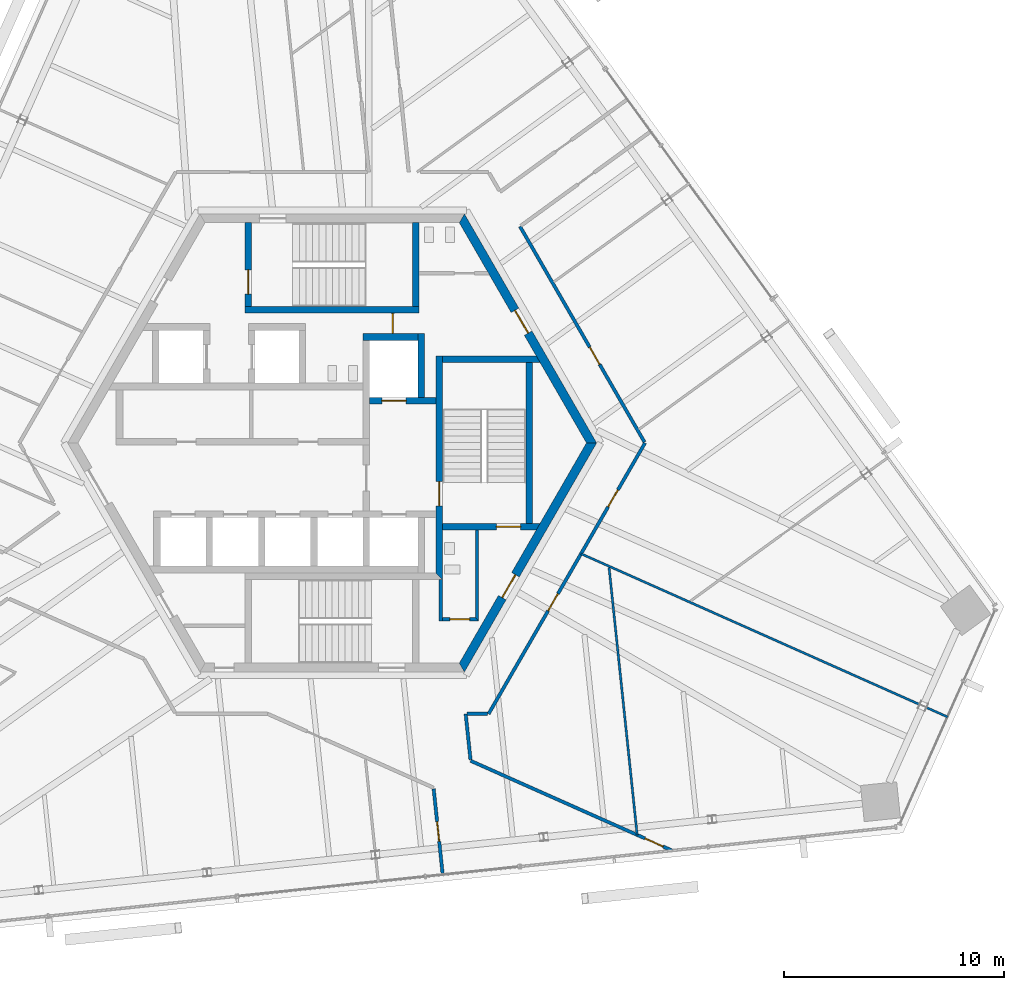
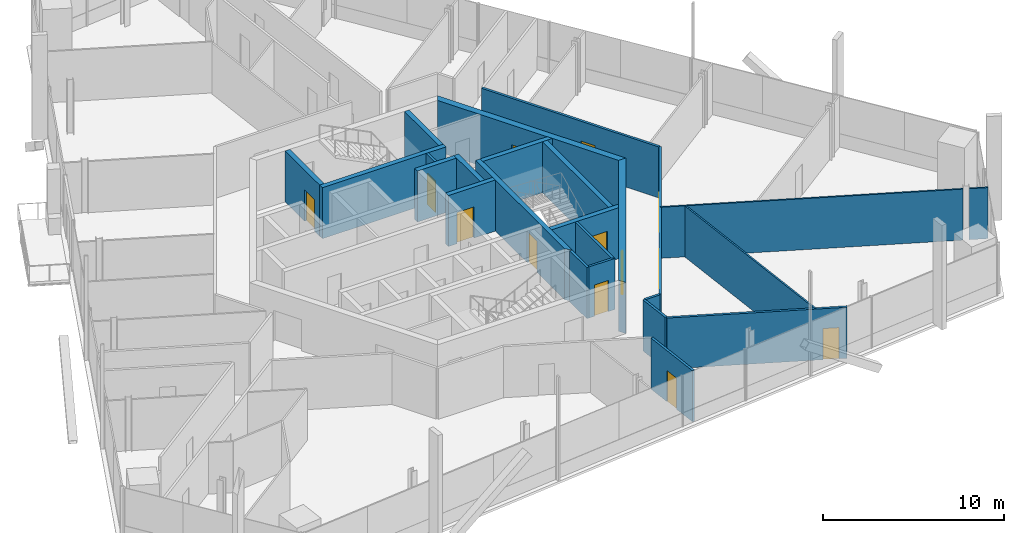
# One storey, part 12 of 20: 25 walls, 13 doors, 13 openings.
"""IFC4 building model written with IfcOpenShell, lengths in metres."""

import ifcopenshell
import ifcopenshell.guid

model = None  # the IFC model being written
_history = None  # IfcOwnerHistory: only IFC2X3 demands one
_inside = {}  # id of a spatial element -> (the spatial element, [elements in it])
_under = {}  # id of a project, library or spatial element -> (it, [spatial elements below it])
_declared = {}  # id of a project -> (the project, [libraries it declares])
_typed = {}  # id of a type object -> (the type object, [elements of that type])
_made_of = {}  # id of a material, layer set ... -> (it, [elements and type objects made of it])


def new_model(schema):
    """Start an empty IFC model of exactly this schema.

    Asked for "IFC4X3", IfcOpenShell would pick the latest addendum, in which some entities
    have other attributes; the version numbers below select the first issue.
    IFC2X3 requires an IfcOwnerHistory on every rooted entity: one is made here for all.
    """
    global model, _history
    if schema == "IFC4X3":
        model = ifcopenshell.file(schema_version=(4, 3, 0, 0))
    else:
        model = ifcopenshell.file(schema=schema)
    _inside.clear()
    _under.clear()
    _declared.clear()
    _typed.clear()
    _made_of.clear()
    _history = None
    if model.schema == "IFC2X3":
        org = make("IfcOrganization", Name="unknown")
        user = make(
            "IfcPersonAndOrganization",
            ThePerson=make("IfcPerson", FamilyName="unknown"),
            TheOrganization=org,
        )
        app = make(
            "IfcApplication",
            ApplicationDeveloper=org,
            Version="unknown",
            ApplicationFullName="unknown",
            ApplicationIdentifier="unknown",
        )
        _history = make(
            "IfcOwnerHistory",
            OwningUser=user,
            OwningApplication=app,
            ChangeAction="ADDED",
            CreationDate=0,
        )
    return model


def make(cls, **values):
    """One entity of the class cls with the attributes given. An attribute that is None is left unset."""
    return model.create_entity(
        cls, **{name: value for name, value in values.items() if value is not None}
    )


def rooted(cls, **values):
    """An entity with a GlobalId (a new one), such as an element, a storey or a relation."""
    return make(cls, GlobalId=ifcopenshell.guid.new(), OwnerHistory=_history, **values)


def si_unit(unit_type, name, prefix=None):
    """IfcSIUnit, for example si_unit("LENGTHUNIT", "METRE", prefix="MILLI")."""
    return make("IfcSIUnit", UnitType=unit_type, Prefix=prefix, Name=name)


def assignment(units):
    """IfcUnitAssignment: the units of a project."""
    return None if units is None else make("IfcUnitAssignment", Units=units)


def point(xyz):
    """IfcCartesianPoint."""
    return None if xyz is None else make("IfcCartesianPoint", Coordinates=xyz)


def direction(xyz):
    """IfcDirection."""
    return None if xyz is None else make("IfcDirection", DirectionRatios=xyz)


def frame(location, z_axis=None, x_axis=None):
    """IfcAxis2Placement3D, a coordinate frame: its origin and axes. An axis left out is left unset."""
    return make(
        "IfcAxis2Placement3D",
        Location=point(location),
        Axis=direction(z_axis),
        RefDirection=direction(x_axis),
    )


def frame_2d(location, x_axis=None):
    """IfcAxis2Placement2D, a coordinate frame in the plane: its origin and x axis."""
    return make(
        "IfcAxis2Placement2D", Location=point(location), RefDirection=direction(x_axis)
    )


def origin():
    """The frame at (0, 0, 0) with its axes left unset."""
    return frame((0.0, 0.0, 0.0))


def place(relative_to, where):
    """IfcLocalPlacement: puts the frame where relative to a parent placement (None: the world)."""
    return make(
        "IfcLocalPlacement", PlacementRelTo=relative_to, RelativePlacement=where
    )


def context(
    kind, dimensions, precision=None, world=None, true_north=None, identifier=None
):
    """IfcGeometricRepresentationContext, for example the 3D "Model" context."""
    return make(
        "IfcGeometricRepresentationContext",
        ContextIdentifier=identifier,
        ContextType=kind,
        CoordinateSpaceDimension=dimensions,
        Precision=precision,
        WorldCoordinateSystem=world,
        TrueNorth=true_north,
    )


def subcontext(parent, identifier, kind, view, scale=None):
    """IfcGeometricRepresentationSubContext, for example "Body" below "Model"."""
    return make(
        "IfcGeometricRepresentationSubContext",
        ContextIdentifier=identifier,
        ContextType=kind,
        ParentContext=parent,
        TargetScale=scale,
        TargetView=view,
    )


def project(units=None, contexts=None):
    """IfcProject with its units and contexts."""
    return rooted(
        "IfcProject",
        Name="project",
        RepresentationContexts=contexts,
        UnitsInContext=assignment(units),
    )


def spatial(cls, under=None, at=None, **own):
    """A site, building, storey or space (cls), placed at a placement, below another one or the project."""
    s = rooted(cls, ObjectPlacement=at, **own)
    if under is not None:
        _under.setdefault(under.id(), (under, []))[1].append(s)
    return s


def polyline(points):
    """IfcPolyline through the points."""
    return make("IfcPolyline", Points=[point(p) for p in points])


def profile(cls, at=None, kind="AREA", **sizes):
    """A parametric profile (cls). Its sizes go by their IFC names, for example OverallWidth=200.0."""
    return make(cls, ProfileType=kind, Position=at, **sizes)


def rectangle(**sizes):
    """IfcRectangleProfileDef."""
    return profile("IfcRectangleProfileDef", **sizes)


def outline(outer, holes=None, kind="AREA"):
    """IfcArbitraryClosedProfileDef: a profile drawn as a closed curve; with holes, ...WithVoids."""
    if holes is None:
        return make("IfcArbitraryClosedProfileDef", ProfileType=kind, OuterCurve=outer)
    return make(
        "IfcArbitraryProfileDefWithVoids",
        ProfileType=kind,
        OuterCurve=outer,
        InnerCurves=holes,
    )


def extrude(swept, where, along, depth):
    """IfcExtrudedAreaSolid: the profile swept, set in the frame where, extruded along a direction by depth."""
    return make(
        "IfcExtrudedAreaSolid",
        SweptArea=swept,
        Position=where,
        ExtrudedDirection=direction(along),
        Depth=depth,
    )


def shape(context_of_items, identifier, shape_type, items):
    """IfcShapeRepresentation: the items that make up one representation, for example the "Body"."""
    return make(
        "IfcShapeRepresentation",
        ContextOfItems=context_of_items,
        RepresentationIdentifier=identifier,
        RepresentationType=shape_type,
        Items=items,
    )


def source(mapping_origin, context_of_items, identifier, shape_type, items):
    """IfcRepresentationMap: a shape defined once, which mapped items show again and again."""
    return make(
        "IfcRepresentationMap",
        MappingOrigin=mapping_origin,
        MappedRepresentation=shape(context_of_items, identifier, shape_type, items),
    )


def transform(
    local_origin,
    x_axis=None,
    y_axis=None,
    z_axis=None,
    scale=None,
    scale2=None,
    scale3=None,
    uniform=True,
):
    """IfcCartesianTransformationOperator3D, or its non-uniform kind. x_axis, y_axis, z_axis: its Axis1, 2, 3."""
    if uniform:
        return make(
            "IfcCartesianTransformationOperator3D",
            Axis1=direction(x_axis),
            Axis2=direction(y_axis),
            LocalOrigin=point(local_origin),
            Scale=scale,
            Axis3=direction(z_axis),
        )
    return make(
        "IfcCartesianTransformationOperator3DnonUniform",
        Axis1=direction(x_axis),
        Axis2=direction(y_axis),
        LocalOrigin=point(local_origin),
        Scale=scale,
        Axis3=direction(z_axis),
        Scale2=scale2,
        Scale3=scale3,
    )


def mapped(mapping_source, mapping_target):
    """IfcMappedItem: shows the shape of a source again, moved by a transform."""
    return make(
        "IfcMappedItem", MappingSource=mapping_source, MappingTarget=mapping_target
    )


def material(Name=None, Category=None):
    """IfcMaterial."""
    return make("IfcMaterial", Name=Name, Category=Category)


def layer(
    of_material, thickness, ventilated=None, Name=None, Category=None, Priority=None
):
    """IfcMaterialLayer: one layer of a wall or slab, of a material (None: an air gap)."""
    return make(
        "IfcMaterialLayer",
        Material=of_material,
        LayerThickness=thickness,
        IsVentilated=ventilated,
        Name=Name,
        Category=Category,
        Priority=Priority,
    )


def layer_set(layers, Name=None):
    """IfcMaterialLayerSet."""
    return make("IfcMaterialLayerSet", MaterialLayers=layers, LayerSetName=Name)


def made_of(thing, what):
    """Note that an element or type object is made of a material, layer set ...; save() writes the relation."""
    if what is not None:
        _made_of.setdefault(what.id(), (what, []))[1].append(thing)
    return thing


def type_object(cls, material=None, **own):
    """A type object (cls), such as IfcWallType, which elements share."""
    return made_of(rooted(cls, **own), material)


def element(
    cls,
    number,
    at=None,
    inside=None,
    cuts=None,
    type_object=None,
    material=None,
    context=None,
    identifier="Body",
    shape_type=None,
    held_by="IfcProductDefinitionShape",
    body=None,
    shapes=None,
    **own,
):
    """One element of the class cls, such as IfcWall. Its Tag is "e" and its number.

    at: its placement. inside: the storey or other place that contains it. cuts: it is an
    opening in that element (IfcRelVoidsElement). A single representation is given by context,
    identifier, shape_type and body (its items); several are given by shapes. held_by: the class
    of the entity that holds the representations. save() writes the other relations.
    """
    e = rooted(cls, Tag="e%d" % number, ObjectPlacement=at, **own)
    if body is not None:
        shapes = [shape(context, identifier, shape_type, body)]
    if shapes is not None:
        e.Representation = make(held_by, Representations=shapes)
    if inside is not None:
        _inside.setdefault(inside.id(), (inside, []))[1].append(e)
    if cuts is not None:
        rooted(
            "IfcRelVoidsElement", RelatingBuildingElement=cuts, RelatedOpeningElement=e
        )
    if type_object is not None:
        _typed.setdefault(type_object.id(), (type_object, []))[1].append(e)
    return made_of(e, material)


def fill(opening, filler):
    """IfcRelFillsElement: the door or window that sits in an opening."""
    return rooted(
        "IfcRelFillsElement",
        RelatingOpeningElement=opening,
        RelatedBuildingElement=filler,
    )


def aggregate(whole, parts):
    """IfcRelAggregates: a whole, such as a stair, and the parts it consists of."""
    return rooted("IfcRelAggregates", RelatingObject=whole, RelatedObjects=parts)


def save(model, path):
    """Write the relations noted so far, then the file.

    IfcRelAggregates (storeys below a building ...), IfcRelContainedInSpatialStructure (elements
    in a storey), IfcRelDefinesByType, IfcRelAssociatesMaterial and IfcRelDeclares: one each for
    every whole, place, type object, material and project.
    """
    for whole, parts in _under.values():
        aggregate(whole, parts)
    for where, things in _inside.values():
        rooted(
            "IfcRelContainedInSpatialStructure",
            RelatedElements=things,
            RelatingStructure=where,
        )
    for kind, things in _typed.values():
        rooted("IfcRelDefinesByType", RelatedObjects=things, RelatingType=kind)
    for what, things in _made_of.values():
        rooted("IfcRelAssociatesMaterial", RelatedObjects=things, RelatingMaterial=what)
    for by, libraries in _declared.values():
        rooted("IfcRelDeclares", RelatingContext=by, RelatedDefinitions=libraries)
    model.write(path)


model = new_model("IFC4")

# Units and contexts
model_context = context("Model", 3, precision=1e-05, world=origin(), true_north=direction((0.0, 1.0)))
body_context = subcontext(model_context, "Body", "Model", "MODEL_VIEW")
ifc_project = project(units=[si_unit("LENGTHUNIT", "METRE"), si_unit("AREAUNIT", "SQUARE_METRE"), si_unit("VOLUMEUNIT", "CUBIC_METRE"), si_unit("PLANEANGLEUNIT", "RADIAN"), si_unit("MASSUNIT", "GRAM", prefix="KILO")], contexts=[model_context])

# Site, building, storey
site_placement = place(None, origin())
site = spatial("IfcSite", under=ifc_project, at=site_placement, CompositionType="ELEMENT")
building_placement = place(site_placement, origin())
building = spatial("IfcBuilding", under=site, at=building_placement, Name="Triune Harvest Tower", CompositionType="ELEMENT")
storey_placement = place(building_placement, frame((0.0, 0.0, 226.89990234375)))
storey = spatial("IfcBuildingStorey", under=building, at=storey_placement, Name="L59", CompositionType="ELEMENT", Elevation=226.89990234375)

# Wall, opening, door
ifc_material_1 = material(Name="Gypsum board on steel studs", Category="steel")
ifc_layer_1 = layer(ifc_material_1, 0.14990234375)
ifc_layer_set_1 = layer_set([ifc_layer_1], Name="Gypsum board on steel studs")
wall_type_1 = type_object("IfcWallType", Name="Fire Partition 150 mm", PredefinedType="PARTITIONING", material=ifc_layer_set_1)
wall_1_placement = place(storey_placement, frame((4.60498046875, -15.6923828125, 0.0), z_axis=(0.0, 0.0, 1.0), x_axis=(0.104558207949, -0.994518768627, 0.0)))
wall_1 = element("IfcWall", 1, at=wall_1_placement, inside=storey, type_object=wall_type_1, Name="Partition L59 005", PredefinedType="PARTITIONING", context=body_context, shape_type="SweptSolid", body=[
    extrude(rectangle(XDim=3.915771484375, YDim=0.14990234375, at=frame_2d((1.9580078125, 0.0))), origin(), (0.0, 0.0, 1.0), 3.440185546875),
])
opening_1_placement = place(wall_1_placement, frame((1.5, 0.0, 0.0)))
opening_1 = element("IfcOpeningElement", 2, at=opening_1_placement, cuts=wall_1, Name="Opening L59-021", PredefinedType="OPENING", context=body_context, shape_type="SweptSolid", body=[
    extrude(rectangle(XDim=0.89990234375, YDim=2.10009765625, at=frame_2d((0.449951171875, 1.050048828125))), frame((0.0, 0.0849609375, 0.0), z_axis=(0.0, -1.0, 0.0), x_axis=(1.0, 0.0, 0.0)), (0.0, 0.0, 1.0), 0.169921875),
])
ifc_material_2 = material(Name="Timber and steel door set", Category="steel")
door_type_1 = type_object("IfcDoorType", Name="Single leaf door FD30 left hand 900 x 2100", OperationType="SINGLE_SWING_LEFT", PredefinedType="DOOR", material=ifc_material_2)
door_1_placement = place(opening_1_placement, origin())
door_1 = element("IfcDoor", 3, at=door_1_placement, inside=storey, type_object=door_type_1, Name="Door L59-021 Office 59.21", OperationType="SINGLE_SWING_LEFT", OverallHeight=2.10009765625, OverallWidth=0.89990234375, PredefinedType="DOOR", context=body_context, shape_type="SweptSolid", body=[
    extrude(rectangle(XDim=0.89990234375, YDim=2.10009765625, at=frame_2d((0.449951171875, 1.050048828125))), frame((0.0, 0.02490234375, 0.0), z_axis=(0.0, -1.0, 0.0), x_axis=(1.0, 0.0, 0.0)), (0.0, 0.0, 1.0), 0.050048828125),
])
fill(opening_1, door_1)

# Wall
wall_2_placement = place(storey_placement, frame((6.057861328125, -12.29248046875, 0.0), z_axis=(0.0, 0.0, 1.0), x_axis=(0.104532787966, -0.994521440815, 0.0)))
element("IfcWall", 4, at=wall_2_placement, inside=storey, type_object=wall_type_1, Name="Partition L59 007", PredefinedType="PARTITIONING", context=body_context, shape_type="SweptSolid", body=[
    extrude(rectangle(XDim=2.09033203125, YDim=0.14990234375, at=frame_2d((1.045166015625, 0.0))), origin(), (0.0, 0.0, 1.0), 3.440185546875),
])

# Wall, opening, door
wall_3_placement = place(storey_placement, frame((8.521484375, 9.82470703125, 0.0), z_axis=(0.0, 0.0, 1.0), x_axis=(0.499981909801, -0.866035847914, 0.0)))
wall_3 = element("IfcWall", 5, at=wall_3_placement, inside=storey, type_object=wall_type_1, Name="Partition L59 012", PredefinedType="PARTITIONING", context=body_context, shape_type="SweptSolid", body=[
    extrude(rectangle(XDim=11.294921875, YDim=0.14990234375, at=frame_2d((5.6474609375, 0.0))), origin(), (0.0, 0.0, 1.0), 3.440185546875),
])
opening_2_placement = place(wall_3_placement, frame((6.327392578125, 0.0, 0.0)))
opening_2 = element("IfcOpeningElement", 6, at=opening_2_placement, cuts=wall_3, Name="Opening L59-003", PredefinedType="OPENING", context=body_context, shape_type="SweptSolid", body=[
    extrude(rectangle(XDim=0.89990234375, YDim=2.10009765625, at=frame_2d((0.449951171875, 1.050048828125))), frame((0.0, 0.0849609375, 0.0), z_axis=(0.0, -1.0, 0.0), x_axis=(1.0, 0.0, 0.0)), (0.0, 0.0, 1.0), 0.169921875),
])
ifc_material_3 = material(Name="Timber and steel door set", Category="steel")
door_type_2 = type_object("IfcDoorType", Name="Single leaf door FD30 right hand 900 x 2100", OperationType="SINGLE_SWING_RIGHT", PredefinedType="DOOR", material=ifc_material_3)
door_2_placement = place(opening_2_placement, origin())
door_2 = element("IfcDoor", 7, at=door_2_placement, inside=storey, type_object=door_type_2, Name="Door L59-003 Pantry 59.03", OperationType="SINGLE_SWING_RIGHT", OverallHeight=2.10009765625, OverallWidth=0.89990234375, PredefinedType="DOOR", context=body_context, shape_type="SweptSolid", body=[
    extrude(rectangle(XDim=0.89990234375, YDim=2.10009765625, at=frame_2d((0.449951171875, 1.050048828125))), frame((0.0, 0.02490234375, 0.0), z_axis=(0.0, -1.0, 0.0), x_axis=(1.0, 0.0, 0.0)), (0.0, 0.0, 1.0), 0.050048828125),
])
fill(opening_2, door_2)

wall_4_placement = place(storey_placement, frame((6.281494140625, -14.421142578125, 0.0), z_axis=(0.0, 0.0, 1.0), x_axis=(0.913554886537, -0.406715464771, 0.0)))
wall_4 = element("IfcWall", 8, at=wall_4_placement, inside=storey, type_object=wall_type_1, Name="Partition L59 021", PredefinedType="PARTITIONING", context=body_context, shape_type="SweptSolid", body=[
    extrude(rectangle(XDim=10.009521484375, YDim=0.14990234375, at=frame_2d((5.0048828125, 0.0))), origin(), (0.0, 0.0, 1.0), 3.440185546875),
])
opening_3_placement = place(wall_4_placement, frame((8.65966796875, 0.0, 0.0)))
opening_3 = element("IfcOpeningElement", 9, at=opening_3_placement, cuts=wall_4, Name="Opening L59-023", PredefinedType="OPENING", context=body_context, shape_type="SweptSolid", body=[
    extrude(rectangle(XDim=0.89990234375, YDim=2.10009765625, at=frame_2d((0.449951171875, 1.050048828125))), frame((0.0, 0.0849609375, 0.0), z_axis=(0.0, -1.0, 0.0), x_axis=(1.0, 0.0, 0.0)), (0.0, 0.0, 1.0), 0.169921875),
])
door_3_placement = place(opening_3_placement, origin())
door_3 = element("IfcDoor", 10, at=door_3_placement, inside=storey, type_object=door_type_2, Name="Door L59-023 Open Office 59.23", OperationType="SINGLE_SWING_RIGHT", OverallHeight=2.10009765625, OverallWidth=0.89990234375, PredefinedType="DOOR", context=body_context, shape_type="SweptSolid", body=[
    extrude(rectangle(XDim=0.89990234375, YDim=2.10009765625, at=frame_2d((0.449951171875, 1.050048828125))), frame((0.0, 0.02490234375, 0.0), z_axis=(0.0, -1.0, 0.0), x_axis=(1.0, 0.0, 0.0)), (0.0, 0.0, 1.0), 0.050048828125),
])
fill(opening_3, door_3)

# Walls
ifc_material_4 = material(Name="Gypsum board on steel studs", Category="steel")
ifc_layer_2 = layer(ifc_material_4, 0.10009765625)
ifc_layer_set_2 = layer_set([ifc_layer_2], Name="Gypsum board on steel studs")
wall_type_2 = type_object("IfcWallType", Name="Partition 100 mm", PredefinedType="PARTITIONING", material=ifc_layer_set_2)
wall_5_placement = place(storey_placement, frame((12.563720703125, -5.659912109375, 0.0), z_axis=(0.0, 0.0, 1.0), x_axis=(0.104506539617, -0.994524199392, 0.0)))
element("IfcWall", 11, at=wall_5_placement, inside=storey, type_object=wall_type_2, Name="Partition L59 008", PredefinedType="PARTITIONING", context=body_context, shape_type="SweptSolid", body=[
    extrude(rectangle(XDim=12.192138671875, YDim=0.10009765625, at=frame_2d((6.09619140625, 0.0))), origin(), (0.0, 0.0, 1.0), 3.440185546875),
])
wall_6_placement = place(storey_placement, frame((11.29150390625, -5.027099609375, 0.0), z_axis=(0.0, 0.0, 1.0), x_axis=(0.913538372006, -0.406752557303, 0.0)))
element("IfcWall", 12, at=wall_6_placement, inside=storey, type_object=wall_type_2, Name="Partition L59 027", PredefinedType="PARTITIONING", context=body_context, shape_type="SweptSolid", body=[
    extrude(rectangle(XDim=16.818115234375, YDim=0.10009765625, at=frame_2d((8.4091796875, 0.0))), origin(), (0.0, 0.0, 1.0), 3.440185546875),
])

# Wall, opening, door
ifc_material_5 = material(Name="Concrete 70 MPa", Category="concrete")
ifc_layer_3 = layer(ifc_material_5, 0.39990234375)
ifc_layer_set_3 = layer_set([ifc_layer_3], Name="Concrete 70 MPa")
wall_type_3 = type_object("IfcWallType", Name="Core wall 400", PredefinedType="SHEAR", material=ifc_layer_set_3)
shared_shape_1 = source(origin(), body_context, "Body", "SweptSolid", [
    extrude(outline(polyline([(-0.115478515625, -0.199951171875), (11.884521484375, -0.199951171875), (11.653564453125, 0.199951171875), (0.115478515625, 0.199951171875), (-0.115478515625, -0.199951171875)])), origin(), (0.0, 0.0, 1.0), 3.440185546875),
])
wall_7_placement = place(storey_placement, frame((11.76904296875, 0.0, 0.0), z_axis=(0.0, 0.0, 1.0), x_axis=(-0.499996592174, 0.866027371285, 0.0)))
wall_7 = element("IfcWall", 13, at=wall_7_placement, inside=storey, type_object=wall_type_3, Name="Hexagon 0 wall", PredefinedType="SHEAR", context=body_context, shape_type="MappedRepresentation", body=[
    mapped(shared_shape_1, transform((0.0, 0.0, 0.0), scale=1.0)),
])
opening_4_placement = place(wall_7_placement, frame((5.75048828125, 0.0, 0.0)))
opening_4 = element("IfcOpeningElement", 14, at=opening_4_placement, cuts=wall_7, Name="Opening CD-WCP", PredefinedType="OPENING", context=body_context, shape_type="SweptSolid", body=[
    extrude(rectangle(XDim=1.199951171875, YDim=2.10009765625, at=frame_2d((0.60009765625, 1.050048828125))), frame((0.0, 0.2099609375, 0.0), z_axis=(0.0, -1.0, 0.0), x_axis=(1.0, 0.0, 0.0)), (0.0, 0.0, 1.0), 0.419921875),
])
ifc_material_6 = material(Name="Steel S235", Category="steel")
door_type_3 = type_object("IfcDoorType", Name="Lobby door 1200 FD120", OperationType="SINGLE_SWING_LEFT", PredefinedType="DOOR", material=ifc_material_6)
door_4_placement = place(opening_4_placement, frame((1.199951171875, 0.0, 0.0), z_axis=(0.0, 0.0, 1.0), x_axis=(-1.0, 0.0, 0.0)))
door_4 = element("IfcDoor", 15, at=door_4_placement, inside=storey, type_object=door_type_3, Name="Door CD-WCP", OperationType="SINGLE_SWING_RIGHT", OverallHeight=2.10009765625, OverallWidth=1.199951171875, PredefinedType="DOOR", context=body_context, shape_type="SweptSolid", body=[
    extrude(rectangle(XDim=1.199951171875, YDim=2.10009765625, at=frame_2d((0.60009765625, 1.050048828125))), frame((0.0, 0.02490234375, 0.0), z_axis=(0.0, -1.0, 0.0), x_axis=(1.0, 0.0, 0.0)), (0.0, 0.0, 1.0), 0.050048828125),
])
fill(opening_4, door_4)

wall_8_placement = place(storey_placement, frame((5.884521484375, -10.1923828125, 0.0), z_axis=(0.0, 0.0, 1.0), x_axis=(0.499996592174, 0.866027371285, 0.0)))
wall_8 = element("IfcWall", 16, at=wall_8_placement, inside=storey, type_object=wall_type_3, Name="Hexagon 5 wall", PredefinedType="SHEAR", context=body_context, shape_type="MappedRepresentation", body=[
    mapped(shared_shape_1, transform((0.0, 0.0, 0.0), scale=1.0)),
])
opening_5_placement = place(wall_8_placement, frame((3.66455078125, 0.0, 0.0)))
opening_5 = element("IfcOpeningElement", 17, at=opening_5_placement, cuts=wall_8, Name="Opening CD-DP", PredefinedType="OPENING", context=body_context, shape_type="SweptSolid", body=[
    extrude(rectangle(XDim=1.199951171875, YDim=2.10009765625, at=frame_2d((0.60009765625, 1.050048828125))), frame((0.0, 0.2099609375, 0.0), z_axis=(0.0, -1.0, 0.0), x_axis=(1.0, 0.0, 0.0)), (0.0, 0.0, 1.0), 0.419921875),
])
ifc_material_7 = material(Name="Steel S235", Category="steel")
door_type_4 = type_object("IfcDoorType", Name="Stair door 1200 FD120", OperationType="SINGLE_SWING_LEFT", PredefinedType="DOOR", material=ifc_material_7)
door_5_placement = place(opening_5_placement, frame((1.199951171875, 0.0, 0.0), z_axis=(0.0, 0.0, 1.0), x_axis=(-1.0, 0.0, 0.0)))
door_5 = element("IfcDoor", 18, at=door_5_placement, inside=storey, type_object=door_type_4, Name="Door CD-DP", OperationType="SINGLE_SWING_RIGHT", OverallHeight=2.10009765625, OverallWidth=1.199951171875, PredefinedType="DOOR", context=body_context, shape_type="SweptSolid", body=[
    extrude(rectangle(XDim=1.199951171875, YDim=2.10009765625, at=frame_2d((0.60009765625, 1.050048828125))), frame((0.0, 0.02490234375, 0.0), z_axis=(0.0, -1.0, 0.0), x_axis=(1.0, 0.0, 0.0)), (0.0, 0.0, 1.0), 0.050048828125),
])
fill(opening_5, door_5)

# Wall
ifc_material_8 = material(Name="Concrete 70 MPa", Category="concrete")
ifc_layer_4 = layer(ifc_material_8, 0.300048828125)
ifc_layer_set_4 = layer_set([ifc_layer_4], Name="Concrete 70 MPa")
wall_type_4 = type_object("IfcWallType", Name="Core wall 300", PredefinedType="SHEAR", material=ifc_layer_set_4)
shared_shape_2 = source(origin(), body_context, "Body", "SweptSolid", [
    extrude(rectangle(XDim=2.5, YDim=0.300048828125, at=frame_2d((1.25, 0.0))), origin(), (0.0, 0.0, 1.0), 3.440185546875),
])
wall_9_placement = place(storey_placement, frame((1.39990234375, 4.81005859375, 0.0), z_axis=(0.0, 0.0, 1.0), x_axis=(1.0, 0.0, 0.0)))
element("IfcWall", 19, at=wall_9_placement, inside=storey, type_object=wall_type_4, Name="Ff1 back wall", PredefinedType="SHEAR", context=body_context, shape_type="MappedRepresentation", body=[
    mapped(shared_shape_2, transform((0.0, 0.0, 0.0), scale=1.0)),
])

# Wall, opening, door
shared_shape_3 = source(origin(), body_context, "Body", "SweptSolid", [
    extrude(rectangle(XDim=3.0, YDim=0.300048828125, at=frame_2d((1.5, 0.0))), origin(), (0.0, 0.0, 1.0), 3.440185546875),
])
wall_10_placement = place(storey_placement, frame((1.699951171875, 1.909912109375, 0.0), z_axis=(0.0, 0.0, 1.0), x_axis=(1.0, 0.0, 0.0)))
wall_10 = element("IfcWall", 20, at=wall_10_placement, inside=storey, type_object=wall_type_4, Name="Ff1 front wall", PredefinedType="SHEAR", context=body_context, shape_type="MappedRepresentation", body=[
    mapped(shared_shape_3, transform((0.0, 0.0, 0.0), scale=1.0)),
])
opening_6_placement = place(wall_10_placement, frame((0.550048828125, 0.0, 0.0)))
opening_6 = element("IfcOpeningElement", 21, at=opening_6_placement, cuts=wall_10, Name="Opening LD-FF1-59", PredefinedType="OPENING", context=body_context, shape_type="SweptSolid", body=[
    extrude(rectangle(XDim=1.10009765625, YDim=2.10009765625, at=frame_2d((0.550048828125, 1.050048828125))), frame((0.0, 0.16015625, 0.0), z_axis=(0.0, -1.0, 0.0), x_axis=(1.0, 0.0, 0.0)), (0.0, 0.0, 1.0), 0.320068359375),
])
ifc_material_9 = material(Name="Stainless steel AISI 304", Category="steel")
door_type_5 = type_object("IfcDoorType", Name="Landing door 1100 x 2100", OperationType="DOUBLE_DOOR_SLIDING", PredefinedType="DOOR", material=ifc_material_9)
door_6_placement = place(opening_6_placement, origin())
door_6 = element("IfcDoor", 22, at=door_6_placement, inside=storey, type_object=door_type_5, Name="Door LD-FF1-59", OperationType="DOUBLE_DOOR_SLIDING", OverallHeight=2.10009765625, OverallWidth=1.10009765625, PredefinedType="DOOR", context=body_context, shape_type="SweptSolid", body=[
    extrude(rectangle(XDim=1.10009765625, YDim=2.10009765625, at=frame_2d((0.550048828125, 1.050048828125))), frame((0.0, 0.02490234375, 0.0), z_axis=(0.0, -1.0, 0.0), x_axis=(1.0, 0.0, 0.0)), (0.0, 0.0, 1.0), 0.050048828125),
])
fill(opening_6, door_6)

# Wall
shared_shape_4 = source(origin(), body_context, "Body", "SweptSolid", [
    extrude(rectangle(XDim=2.89990234375, YDim=0.300048828125, at=frame_2d((1.449951171875, 0.0))), origin(), (0.0, 0.0, 1.0), 3.440185546875),
])
wall_11_placement = place(storey_placement, frame((4.050048828125, 2.06005859375, 0.0), z_axis=(0.0, 0.0, 1.0), x_axis=(0.0, 1.0, 0.0)))
element("IfcWall", 23, at=wall_11_placement, inside=storey, type_object=wall_type_4, Name="Ff1 east wall", PredefinedType="SHEAR", context=body_context, shape_type="MappedRepresentation", body=[
    mapped(shared_shape_4, transform((0.0, 0.0, 0.0), scale=1.0)),
])

# Wall, opening, door
shared_shape_5 = source(origin(), body_context, "Body", "SweptSolid", [
    extrude(outline(polyline([(-0.14990234375, -0.14990234375), (9.989990234375, -0.14990234375), (9.989990234375, 0.14990234375), (0.14990234375, 0.14990234375), (-0.14990234375, -0.14990234375)])), origin(), (0.0, 0.0, 1.0), 3.440185546875),
])
wall_12_placement = place(storey_placement, frame((4.85009765625, -6.0400390625, 0.0), z_axis=(0.0, 0.0, 1.0), x_axis=(0.0, 1.0, 0.0)))
wall_12 = element("IfcWall", 24, at=wall_12_placement, inside=storey, type_object=wall_type_4, Name="Stair e west wall", PredefinedType="SHEAR", context=body_context, shape_type="MappedRepresentation", body=[
    mapped(shared_shape_5, transform((0.0, 0.0, 0.0), scale=1.0)),
])
opening_7_placement = place(wall_12_placement, frame((3.18994140625, 0.0, 0.0)))
opening_7 = element("IfcOpeningElement", 25, at=opening_7_placement, cuts=wall_12, Name="Opening CD-S3L", PredefinedType="OPENING", context=body_context, shape_type="SweptSolid", body=[
    extrude(rectangle(XDim=1.10009765625, YDim=2.10009765625, at=frame_2d((0.550048828125, 1.050048828125))), frame((0.0, 0.16015625, 0.0), z_axis=(0.0, -1.0, 0.0), x_axis=(1.0, 0.0, 0.0)), (0.0, 0.0, 1.0), 0.320068359375),
])
ifc_material_10 = material(Name="Steel S235", Category="steel")
door_type_6 = type_object("IfcDoorType", Name="Stair door 1100 FD120", OperationType="SINGLE_SWING_LEFT", PredefinedType="DOOR", material=ifc_material_10)
door_7_placement = place(opening_7_placement, frame((1.10009765625, 0.0, 0.0), z_axis=(0.0, 0.0, 1.0), x_axis=(-1.0, 0.0, 0.0)))
door_7 = element("IfcDoor", 26, at=door_7_placement, inside=storey, type_object=door_type_6, Name="Door CD-S3L", OperationType="SINGLE_SWING_RIGHT", OverallHeight=2.10009765625, OverallWidth=1.10009765625, PredefinedType="DOOR", context=body_context, shape_type="SweptSolid", body=[
    extrude(rectangle(XDim=1.10009765625, YDim=2.10009765625, at=frame_2d((0.550048828125, 1.050048828125))), frame((0.0, 0.02490234375, 0.0), z_axis=(0.0, -1.0, 0.0), x_axis=(1.0, 0.0, 0.0)), (0.0, 0.0, 1.0), 0.050048828125),
])
fill(opening_7, door_7)

# Wall
shared_shape_6 = source(origin(), body_context, "Body", "SweptSolid", [
    extrude(outline(polyline([(0.0, -0.14990234375), (0.0, 0.14990234375), (4.260009765625, 0.14990234375), (4.43310546875, -0.14990234375), (0.0, -0.14990234375)])), origin(), (0.0, 0.0, 1.0), 3.440185546875),
])
wall_13_placement = place(storey_placement, frame((5.0, 3.800048828125, 0.0), z_axis=(0.0, 0.0, 1.0), x_axis=(1.0, 0.0, 0.0)))
element("IfcWall", 27, at=wall_13_placement, inside=storey, type_object=wall_type_4, Name="Stair e north wall", PredefinedType="SHEAR", context=body_context, shape_type="MappedRepresentation", body=[
    mapped(shared_shape_6, transform((0.0, 0.0, 0.0), scale=1.0)),
])

# Wall, opening, door
shared_shape_7 = source(origin(), body_context, "Body", "SweptSolid", [
    extrude(outline(polyline([(0.0, -0.14990234375), (0.0, 0.14990234375), (4.43310546875, 0.14990234375), (4.260009765625, -0.14990234375), (0.0, -0.14990234375)])), origin(), (0.0, 0.0, 1.0), 3.440185546875),
])
wall_14_placement = place(storey_placement, frame((5.0, -3.800048828125, 0.0), z_axis=(0.0, 0.0, 1.0), x_axis=(1.0, 0.0, 0.0)))
wall_14 = element("IfcWall", 28, at=wall_14_placement, inside=storey, type_object=wall_type_4, Name="Stair e south wall", PredefinedType="SHEAR", context=body_context, shape_type="MappedRepresentation", body=[
    mapped(shared_shape_7, transform((0.0, 0.0, 0.0), scale=1.0)),
])
opening_8_placement = place(wall_14_placement, frame((2.449951171875, 0.0, 0.0)))
opening_8 = element("IfcOpeningElement", 29, at=opening_8_placement, cuts=wall_14, Name="Opening CD-S3D", PredefinedType="OPENING", context=body_context, shape_type="SweptSolid", body=[
    extrude(rectangle(XDim=1.10009765625, YDim=2.10009765625, at=frame_2d((0.550048828125, 1.050048828125))), frame((0.0, 0.16015625, 0.0), z_axis=(0.0, -1.0, 0.0), x_axis=(1.0, 0.0, 0.0)), (0.0, 0.0, 1.0), 0.320068359375),
])
door_8_placement = place(opening_8_placement, frame((1.10009765625, 0.0, 0.0), z_axis=(0.0, 0.0, 1.0), x_axis=(-1.0, 0.0, 0.0)))
door_8 = element("IfcDoor", 30, at=door_8_placement, inside=storey, type_object=door_type_6, Name="Door CD-S3D", OperationType="SINGLE_SWING_RIGHT", OverallHeight=2.10009765625, OverallWidth=1.10009765625, PredefinedType="DOOR", context=body_context, shape_type="SweptSolid", body=[
    extrude(rectangle(XDim=1.10009765625, YDim=2.10009765625, at=frame_2d((0.550048828125, 1.050048828125))), frame((0.0, 0.02490234375, 0.0), z_axis=(0.0, -1.0, 0.0), x_axis=(1.0, 0.0, 0.0)), (0.0, 0.0, 1.0), 0.050048828125),
])
fill(opening_8, door_8)

# Walls
shared_shape_8 = source(origin(), body_context, "Body", "SweptSolid", [
    extrude(rectangle(XDim=7.2998046875, YDim=0.300048828125, at=frame_2d((3.64990234375, 0.0))), origin(), (0.0, 0.0, 1.0), 3.440185546875),
])
wall_15_placement = place(storey_placement, frame((8.949951171875, -3.64990234375, 0.0), z_axis=(0.0, 0.0, 1.0), x_axis=(0.0, 1.0, 0.0)))
element("IfcWall", 31, at=wall_15_placement, inside=storey, type_object=wall_type_4, Name="Stair e east wall", PredefinedType="SHEAR", context=body_context, shape_type="MappedRepresentation", body=[
    mapped(shared_shape_8, transform((0.0, 0.0, 0.0), scale=1.0)),
])
shared_shape_9 = source(origin(), body_context, "Body", "SweptSolid", [
    extrude(rectangle(XDim=7.89990234375, YDim=0.300048828125, at=frame_2d((3.949951171875, 0.0))), origin(), (0.0, 0.0, 1.0), 3.440185546875),
])
wall_16_placement = place(storey_placement, frame((-3.949951171875, 6.0400390625, 0.0), z_axis=(0.0, 0.0, 1.0), x_axis=(1.0, 0.0, 0.0)))
element("IfcWall", 32, at=wall_16_placement, inside=storey, type_object=wall_type_4, Name="Stair n south wall", PredefinedType="SHEAR", context=body_context, shape_type="MappedRepresentation", body=[
    mapped(shared_shape_9, transform((0.0, 0.0, 0.0), scale=1.0)),
])

# Wall, opening, door
shared_shape_10 = source(origin(), body_context, "Body", "SweptSolid", [
    extrude(outline(polyline([(0.0, -0.14990234375), (0.0, 0.14990234375), (3.80419921875, 0.14990234375), (3.80419921875, -0.14990234375), (0.0, -0.14990234375)])), origin(), (0.0, 0.0, 1.0), 3.440185546875),
])
wall_17_placement = place(storey_placement, frame((-3.800048828125, 6.18994140625, 0.0), z_axis=(0.0, 0.0, 1.0), x_axis=(0.0, 1.0, 0.0)))
wall_17 = element("IfcWall", 33, at=wall_17_placement, inside=storey, type_object=wall_type_4, Name="Stair n west wall", PredefinedType="SHEAR", context=body_context, shape_type="MappedRepresentation", body=[
    mapped(shared_shape_10, transform((0.0, 0.0, 0.0), scale=1.0)),
])
opening_9_placement = place(wall_17_placement, frame((0.56005859375, 0.0, 0.0)))
opening_9 = element("IfcOpeningElement", 34, at=opening_9_placement, cuts=wall_17, Name="Opening CD-S1L", PredefinedType="OPENING", context=body_context, shape_type="SweptSolid", body=[
    extrude(rectangle(XDim=1.10009765625, YDim=2.10009765625, at=frame_2d((0.550048828125, 1.050048828125))), frame((0.0, 0.16015625, 0.0), z_axis=(0.0, -1.0, 0.0), x_axis=(1.0, 0.0, 0.0)), (0.0, 0.0, 1.0), 0.320068359375),
])
door_9_placement = place(opening_9_placement, frame((1.10009765625, 0.0, 0.0), z_axis=(0.0, 0.0, 1.0), x_axis=(-1.0, 0.0, 0.0)))
door_9 = element("IfcDoor", 35, at=door_9_placement, inside=storey, type_object=door_type_6, Name="Door CD-S1L", OperationType="SINGLE_SWING_RIGHT", OverallHeight=2.10009765625, OverallWidth=1.10009765625, PredefinedType="DOOR", context=body_context, shape_type="SweptSolid", body=[
    extrude(rectangle(XDim=1.10009765625, YDim=2.10009765625, at=frame_2d((0.550048828125, 1.050048828125))), frame((0.0, 0.02490234375, 0.0), z_axis=(0.0, -1.0, 0.0), x_axis=(1.0, 0.0, 0.0)), (0.0, 0.0, 1.0), 0.050048828125),
])
fill(opening_9, door_9)

# Wall
wall_18_placement = place(storey_placement, frame((3.800048828125, 6.18994140625, 0.0), z_axis=(0.0, 0.0, 1.0), x_axis=(0.0, 1.0, 0.0)))
element("IfcWall", 36, at=wall_18_placement, inside=storey, type_object=wall_type_4, Name="Stair n east wall", PredefinedType="SHEAR", context=body_context, shape_type="MappedRepresentation", body=[
    mapped(shared_shape_10, transform((0.0, 0.0, 0.0), scale=1.0)),
])

# Wall, opening, door
ifc_material_11 = material(Name="Concrete masonry unit", Category="masonry")
ifc_layer_5 = layer(ifc_material_11, 0.14990234375)
ifc_layer_set_5 = layer_set([ifc_layer_5], Name="Concrete masonry unit")
wall_type_5 = type_object("IfcWallType", Name="Block partition 150 unrated", PredefinedType="PARTITIONING", material=ifc_layer_set_5)
shared_shape_11 = source(origin(), body_context, "Body", "SweptSolid", [
    extrude(outline(polyline([(0.0, -0.074951171875), (1.64990234375, -0.074951171875), (1.5, 0.074951171875), (0.0, 0.074951171875), (0.0, -0.074951171875)])), origin(), (0.0, 0.0, 1.0), 3.440185546875),
])
wall_19_placement = place(storey_placement, frame((5.0, -8.0, 0.0), z_axis=(0.0, 0.0, 1.0), x_axis=(1.0, 0.0, 0.0)))
wall_19 = element("IfcWall", 37, at=wall_19_placement, inside=storey, type_object=wall_type_5, Name="Wc acc south wall", PredefinedType="PARTITIONING", context=body_context, shape_type="MappedRepresentation", body=[
    mapped(shared_shape_11, transform((0.0, 0.0, 0.0), scale=1.0)),
])
opening_10_placement = place(wall_19_placement, frame((0.33740234375, 0.0, 0.0)))
opening_10 = element("IfcOpeningElement", 38, at=opening_10_placement, cuts=wall_19, Name="Opening CD-WA", PredefinedType="OPENING", context=body_context, shape_type="SweptSolid", body=[
    extrude(rectangle(XDim=0.89990234375, YDim=2.10009765625, at=frame_2d((0.449951171875, 1.050048828125))), frame((0.0, 0.0849609375, 0.0), z_axis=(0.0, -1.0, 0.0), x_axis=(1.0, 0.0, 0.0)), (0.0, 0.0, 1.0), 0.169921875),
])
ifc_material_12 = material(Name="Timber C24", Category="wood")
door_type_7 = type_object("IfcDoorType", Name="WC door 900", OperationType="SINGLE_SWING_LEFT", PredefinedType="DOOR", material=ifc_material_12)
door_10_placement = place(opening_10_placement, origin())
door_10 = element("IfcDoor", 39, at=door_10_placement, inside=storey, type_object=door_type_7, Name="Door CD-WA", OperationType="SINGLE_SWING_LEFT", OverallHeight=2.10009765625, OverallWidth=0.89990234375, PredefinedType="DOOR", context=body_context, shape_type="SweptSolid", body=[
    extrude(rectangle(XDim=0.89990234375, YDim=2.10009765625, at=frame_2d((0.449951171875, 1.050048828125))), frame((0.0, 0.02490234375, 0.0), z_axis=(0.0, -1.0, 0.0), x_axis=(1.0, 0.0, 0.0)), (0.0, 0.0, 1.0), 0.050048828125),
])
fill(opening_10, door_10)

# Walls
shared_shape_12 = source(origin(), body_context, "Body", "SweptSolid", [
    extrude(outline(polyline([(-0.074951171875, -0.074951171875), (4.050048828125, -0.074951171875), (4.050048828125, 0.074951171875), (0.074951171875, 0.074951171875), (-0.074951171875, -0.074951171875)])), origin(), (0.0, 0.0, 1.0), 3.440185546875),
])
wall_20_placement = place(storey_placement, frame((6.574951171875, -8.0, 0.0), z_axis=(0.0, 0.0, 1.0), x_axis=(0.0, 1.0, 0.0)))
element("IfcWall", 40, at=wall_20_placement, inside=storey, type_object=wall_type_5, Name="Wc acc east wall", PredefinedType="PARTITIONING", context=body_context, shape_type="MappedRepresentation", body=[
    mapped(shared_shape_12, transform((0.0, 0.0, 0.0), scale=1.0)),
])
shared_shape_13 = source(origin(), body_context, "Body", "SweptSolid", [
    extrude(rectangle(XDim=1.885009765625, YDim=0.14990234375, at=frame_2d((0.9423828125, 0.0))), origin(), (0.0, 0.0, 1.0), 3.440185546875),
])
wall_21_placement = place(storey_placement, frame((4.925048828125, -8.074951171875, 0.0), z_axis=(0.0, 0.0, 1.0), x_axis=(0.0, 1.0, 0.0)))
element("IfcWall", 41, at=wall_21_placement, inside=storey, type_object=wall_type_5, Name="Wc acc west wall", PredefinedType="PARTITIONING", context=body_context, shape_type="MappedRepresentation", body=[
    mapped(shared_shape_13, transform((0.0, 0.0, 0.0), scale=1.0)),
])

# Wall, opening, door
shared_shape_14 = source(origin(), body_context, "Body", "SweptSolid", [
    extrude(rectangle(XDim=0.929931640625, YDim=0.14990234375, at=frame_2d((0.46484375, 0.0))), origin(), (0.0, 0.0, 1.0), 3.440185546875),
])
wall_22_placement = place(storey_placement, frame((2.75, 4.9599609375, 0.0), z_axis=(0.0, 0.0, 1.0), x_axis=(0.0, 1.0, 0.0)))
wall_22 = element("IfcWall", 42, at=wall_22_placement, inside=storey, type_object=wall_type_5, Name="Wc men east b wall", PredefinedType="PARTITIONING", context=body_context, shape_type="MappedRepresentation", body=[
    mapped(shared_shape_14, transform((0.0, 0.0, 0.0), scale=1.0)),
])
opening_11_placement = place(wall_22_placement, frame((0.014892578125, 0.0, 0.0)))
opening_11 = element("IfcOpeningElement", 43, at=opening_11_placement, cuts=wall_22, Name="Opening CD-WM", PredefinedType="OPENING", context=body_context, shape_type="SweptSolid", body=[
    extrude(rectangle(XDim=0.89990234375, YDim=2.10009765625, at=frame_2d((0.449951171875, 1.050048828125))), frame((0.0, 0.0849609375, 0.0), z_axis=(0.0, -1.0, 0.0), x_axis=(1.0, 0.0, 0.0)), (0.0, 0.0, 1.0), 0.169921875),
])
door_11_placement = place(opening_11_placement, origin())
door_11 = element("IfcDoor", 44, at=door_11_placement, inside=storey, type_object=door_type_7, Name="Door CD-WM", OperationType="SINGLE_SWING_LEFT", OverallHeight=2.10009765625, OverallWidth=0.89990234375, PredefinedType="DOOR", context=body_context, shape_type="SweptSolid", body=[
    extrude(rectangle(XDim=0.89990234375, YDim=2.10009765625, at=frame_2d((0.449951171875, 1.050048828125))), frame((0.0, 0.02490234375, 0.0), z_axis=(0.0, -1.0, 0.0), x_axis=(1.0, 0.0, 0.0)), (0.0, 0.0, 1.0), 0.050048828125),
])
fill(opening_11, door_11)

# Wall, openings, doors
shared_shape_15 = source(origin(), body_context, "Body", "SweptSolid", [
    extrude(rectangle(XDim=14.19384765625, YDim=0.14990234375, at=frame_2d((7.096923828125, 0.0))), origin(), (0.0, 0.0, 1.0), 3.440185546875),
])
wall_23_placement = place(storey_placement, frame((7.096923828125, -12.292236328125, 0.0), z_axis=(0.0, 0.0, 1.0), x_axis=(0.499999887723, 0.866025468608, 0.0)))
wall_23 = element("IfcWall", 45, at=wall_23_placement, inside=storey, type_object=wall_type_1, Name="Partition L59 056", PredefinedType="PARTITIONING", context=body_context, shape_type="MappedRepresentation", body=[
    mapped(shared_shape_15, transform((0.0, 0.0, 0.0), scale=1.0)),
])
opening_12_placement = place(wall_23_placement, frame((10.839111328125, 0.0, 0.0)))
opening_12 = element("IfcOpeningElement", 46, at=opening_12_placement, cuts=wall_23, Name="Opening L59-002", PredefinedType="OPENING", context=body_context, shape_type="SweptSolid", body=[
    extrude(rectangle(XDim=0.89990234375, YDim=2.10009765625, at=frame_2d((0.449951171875, 1.050048828125))), frame((0.0, 0.0849609375, 0.0), z_axis=(0.0, -1.0, 0.0), x_axis=(1.0, 0.0, 0.0)), (0.0, 0.0, 1.0), 0.169921875),
])
opening_13_placement = place(wall_23_placement, frame((5.393310546875, 0.0, 0.0)))
opening_13 = element("IfcOpeningElement", 47, at=opening_13_placement, cuts=wall_23, Name="Opening L59-022", PredefinedType="OPENING", context=body_context, shape_type="SweptSolid", body=[
    extrude(rectangle(XDim=0.89990234375, YDim=2.10009765625, at=frame_2d((0.449951171875, 1.050048828125))), frame((0.0, 0.0849609375, 0.0), z_axis=(0.0, -1.0, 0.0), x_axis=(1.0, 0.0, 0.0)), (0.0, 0.0, 1.0), 0.169921875),
])
door_12_placement = place(opening_12_placement, origin())
door_12 = element("IfcDoor", 48, at=door_12_placement, inside=storey, type_object=door_type_1, Name="Door L59-002 Project Room 59.02", OperationType="SINGLE_SWING_LEFT", OverallHeight=2.10009765625, OverallWidth=0.89990234375, PredefinedType="DOOR", context=body_context, shape_type="SweptSolid", body=[
    extrude(rectangle(XDim=0.89990234375, YDim=2.10009765625, at=frame_2d((0.449951171875, 1.050048828125))), frame((0.0, 0.02490234375, 0.0), z_axis=(0.0, -1.0, 0.0), x_axis=(1.0, 0.0, 0.0)), (0.0, 0.0, 1.0), 0.050048828125),
])
fill(opening_12, door_12)
door_13_placement = place(opening_13_placement, origin())
door_13 = element("IfcDoor", 49, at=door_13_placement, inside=storey, type_object=door_type_2, Name="Door L59-022 Pantry 59.22", OperationType="SINGLE_SWING_RIGHT", OverallHeight=2.10009765625, OverallWidth=0.89990234375, PredefinedType="DOOR", context=body_context, shape_type="SweptSolid", body=[
    extrude(rectangle(XDim=0.89990234375, YDim=2.10009765625, at=frame_2d((0.449951171875, 1.050048828125))), frame((0.0, 0.02490234375, 0.0), z_axis=(0.0, -1.0, 0.0), x_axis=(1.0, 0.0, 0.0)), (0.0, 0.0, 1.0), 0.050048828125),
])
fill(opening_13, door_13)

# Walls
shared_shape_16 = source(origin(), body_context, "Body", "SweptSolid", [
    extrude(rectangle(XDim=1.0478515625, YDim=0.10009765625, at=frame_2d((0.52392578125, 0.0))), origin(), (0.0, 0.0, 1.0), 3.440185546875),
])
wall_24_placement = place(storey_placement, frame((26.9619140625, -12.00439453125, 0.0), z_axis=(0.0, 0.0, 1.0), x_axis=(0.913609658968, -0.406592413899, 0.0)))
element("IfcWall", 50, at=wall_24_placement, inside=storey, type_object=wall_type_2, Name="Partition L59 028", PredefinedType="PARTITIONING", context=body_context, shape_type="MappedRepresentation", body=[
    mapped(shared_shape_16, transform((0.0, 0.0, 0.0), scale=1.0)),
])
shared_shape_17 = source(origin(), body_context, "Body", "SweptSolid", [
    extrude(rectangle(XDim=0.92919921875, YDim=0.14990234375, at=frame_2d((0.464599609375, 0.0))), origin(), (0.0, 0.0, 1.0), 3.440185546875),
])
wall_25_placement = place(storey_placement, frame((6.117919921875, -12.292236328125, 0.0), z_axis=(0.0, 0.0, 1.0), x_axis=(1.0, 0.0, 0.0)))
element("IfcWall", 51, at=wall_25_placement, inside=storey, type_object=wall_type_1, Name="Partition L59 033", PredefinedType="PARTITIONING", context=body_context, shape_type="MappedRepresentation", body=[
    mapped(shared_shape_17, transform((0.0, 0.0, 0.0), scale=1.0)),
])

save(model, "model.ifc")
